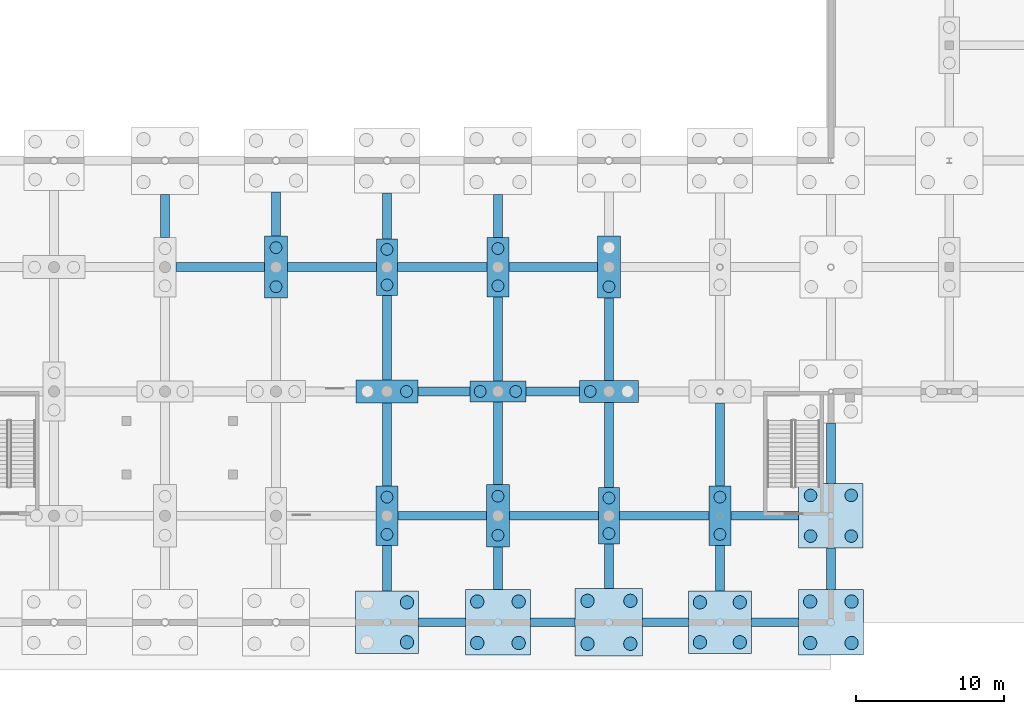
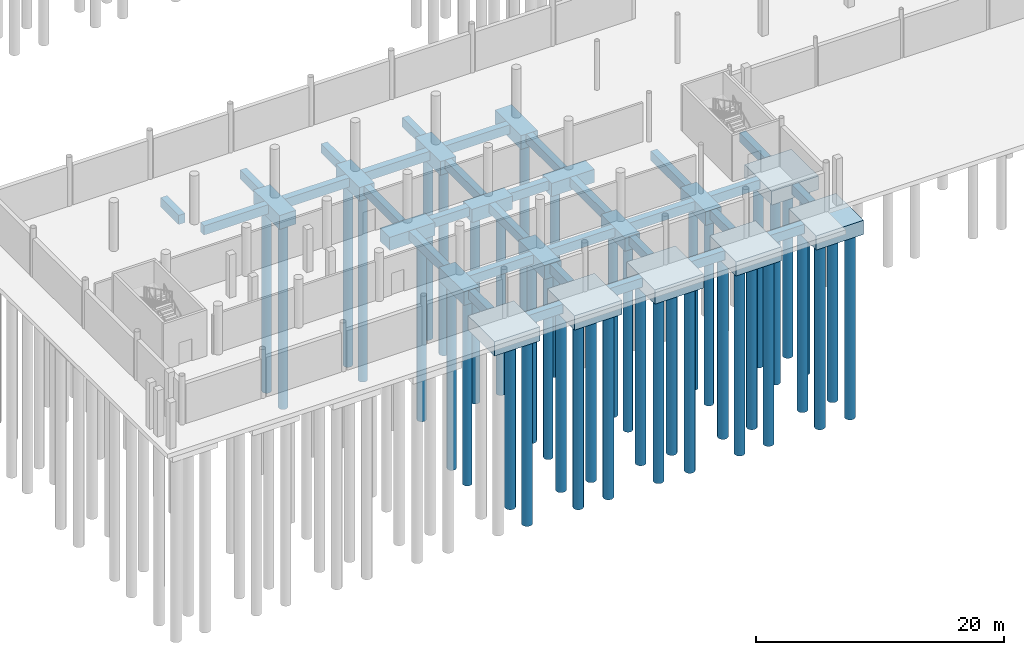
# One storey, part 2 of 44: 48 footings, 41 piles.
"""IFC4 building model written with IfcOpenShell, lengths in metres."""

import ifcopenshell
import ifcopenshell.guid

model = None  # the IFC model being written
_history = None  # IfcOwnerHistory: only IFC2X3 demands one
_inside = {}  # id of a spatial element -> (the spatial element, [elements in it])
_under = {}  # id of a project, library or spatial element -> (it, [spatial elements below it])
_declared = {}  # id of a project -> (the project, [libraries it declares])
_typed = {}  # id of a type object -> (the type object, [elements of that type])
_made_of = {}  # id of a material, layer set ... -> (it, [elements and type objects made of it])


def new_model(schema):
    """Start an empty IFC model of exactly this schema.

    Asked for "IFC4X3", IfcOpenShell would pick the latest addendum, in which some entities
    have other attributes; the version numbers below select the first issue.
    IFC2X3 requires an IfcOwnerHistory on every rooted entity: one is made here for all.
    """
    global model, _history
    if schema == "IFC4X3":
        model = ifcopenshell.file(schema_version=(4, 3, 0, 0))
    else:
        model = ifcopenshell.file(schema=schema)
    _inside.clear()
    _under.clear()
    _declared.clear()
    _typed.clear()
    _made_of.clear()
    _history = None
    if model.schema == "IFC2X3":
        org = make("IfcOrganization", Name="unknown")
        user = make(
            "IfcPersonAndOrganization",
            ThePerson=make("IfcPerson", FamilyName="unknown"),
            TheOrganization=org,
        )
        app = make(
            "IfcApplication",
            ApplicationDeveloper=org,
            Version="unknown",
            ApplicationFullName="unknown",
            ApplicationIdentifier="unknown",
        )
        _history = make(
            "IfcOwnerHistory",
            OwningUser=user,
            OwningApplication=app,
            ChangeAction="ADDED",
            CreationDate=0,
        )
    return model


def make(cls, **values):
    """One entity of the class cls with the attributes given. An attribute that is None is left unset."""
    return model.create_entity(
        cls, **{name: value for name, value in values.items() if value is not None}
    )


def rooted(cls, **values):
    """An entity with a GlobalId (a new one), such as an element, a storey or a relation."""
    return make(cls, GlobalId=ifcopenshell.guid.new(), OwnerHistory=_history, **values)


def si_unit(unit_type, name, prefix=None):
    """IfcSIUnit, for example si_unit("LENGTHUNIT", "METRE", prefix="MILLI")."""
    return make("IfcSIUnit", UnitType=unit_type, Prefix=prefix, Name=name)


def assignment(units):
    """IfcUnitAssignment: the units of a project."""
    return None if units is None else make("IfcUnitAssignment", Units=units)


def point(xyz):
    """IfcCartesianPoint."""
    return None if xyz is None else make("IfcCartesianPoint", Coordinates=xyz)


def direction(xyz):
    """IfcDirection."""
    return None if xyz is None else make("IfcDirection", DirectionRatios=xyz)


def frame(location, z_axis=None, x_axis=None):
    """IfcAxis2Placement3D, a coordinate frame: its origin and axes. An axis left out is left unset."""
    return make(
        "IfcAxis2Placement3D",
        Location=point(location),
        Axis=direction(z_axis),
        RefDirection=direction(x_axis),
    )


def frame_2d(location, x_axis=None):
    """IfcAxis2Placement2D, a coordinate frame in the plane: its origin and x axis."""
    return make(
        "IfcAxis2Placement2D", Location=point(location), RefDirection=direction(x_axis)
    )


def origin():
    """The frame at (0, 0, 0) with its axes left unset."""
    return frame((0.0, 0.0, 0.0))


def origin_2d():
    """The frame at (0, 0) in the plane with its x axis left unset."""
    return frame_2d((0.0, 0.0))


def place(relative_to, where):
    """IfcLocalPlacement: puts the frame where relative to a parent placement (None: the world)."""
    return make(
        "IfcLocalPlacement", PlacementRelTo=relative_to, RelativePlacement=where
    )


def context(
    kind, dimensions, precision=None, world=None, true_north=None, identifier=None
):
    """IfcGeometricRepresentationContext, for example the 3D "Model" context."""
    return make(
        "IfcGeometricRepresentationContext",
        ContextIdentifier=identifier,
        ContextType=kind,
        CoordinateSpaceDimension=dimensions,
        Precision=precision,
        WorldCoordinateSystem=world,
        TrueNorth=true_north,
    )


def subcontext(parent, identifier, kind, view, scale=None):
    """IfcGeometricRepresentationSubContext, for example "Body" below "Model"."""
    return make(
        "IfcGeometricRepresentationSubContext",
        ContextIdentifier=identifier,
        ContextType=kind,
        ParentContext=parent,
        TargetScale=scale,
        TargetView=view,
    )


def project(units=None, contexts=None):
    """IfcProject with its units and contexts."""
    return rooted(
        "IfcProject",
        Name="project",
        RepresentationContexts=contexts,
        UnitsInContext=assignment(units),
    )


def spatial(cls, under=None, at=None, **own):
    """A site, building, storey or space (cls), placed at a placement, below another one or the project."""
    s = rooted(cls, ObjectPlacement=at, **own)
    if under is not None:
        _under.setdefault(under.id(), (under, []))[1].append(s)
    return s


def polyline(points):
    """IfcPolyline through the points."""
    return make("IfcPolyline", Points=[point(p) for p in points])


def profile(cls, at=None, kind="AREA", **sizes):
    """A parametric profile (cls). Its sizes go by their IFC names, for example OverallWidth=200.0."""
    return make(cls, ProfileType=kind, Position=at, **sizes)


def rectangle(**sizes):
    """IfcRectangleProfileDef."""
    return profile("IfcRectangleProfileDef", **sizes)


def circle(**sizes):
    """IfcCircleProfileDef."""
    return profile("IfcCircleProfileDef", **sizes)


def outline(outer, holes=None, kind="AREA"):
    """IfcArbitraryClosedProfileDef: a profile drawn as a closed curve; with holes, ...WithVoids."""
    if holes is None:
        return make("IfcArbitraryClosedProfileDef", ProfileType=kind, OuterCurve=outer)
    return make(
        "IfcArbitraryProfileDefWithVoids",
        ProfileType=kind,
        OuterCurve=outer,
        InnerCurves=holes,
    )


def extrude(swept, where, along, depth):
    """IfcExtrudedAreaSolid: the profile swept, set in the frame where, extruded along a direction by depth."""
    return make(
        "IfcExtrudedAreaSolid",
        SweptArea=swept,
        Position=where,
        ExtrudedDirection=direction(along),
        Depth=depth,
    )


def shape(context_of_items, identifier, shape_type, items):
    """IfcShapeRepresentation: the items that make up one representation, for example the "Body"."""
    return make(
        "IfcShapeRepresentation",
        ContextOfItems=context_of_items,
        RepresentationIdentifier=identifier,
        RepresentationType=shape_type,
        Items=items,
    )


def material(Name=None, Category=None):
    """IfcMaterial."""
    return make("IfcMaterial", Name=Name, Category=Category)


def material_profile(
    of_material, cross_section, Name=None, Category=None, Priority=None
):
    """IfcMaterialProfile: a cross section and its material."""
    return make(
        "IfcMaterialProfile",
        Name=Name,
        Material=of_material,
        Profile=cross_section,
        Priority=Priority,
        Category=Category,
    )


def profile_set(profiles, Name=None, composite=None):
    """IfcMaterialProfileSet."""
    return make(
        "IfcMaterialProfileSet",
        Name=Name,
        MaterialProfiles=profiles,
        CompositeProfile=composite,
    )


def made_of(thing, what):
    """Note that an element or type object is made of a material, layer set ...; save() writes the relation."""
    if what is not None:
        _made_of.setdefault(what.id(), (what, []))[1].append(thing)
    return thing


def type_object(cls, material=None, **own):
    """A type object (cls), such as IfcWallType, which elements share."""
    return made_of(rooted(cls, **own), material)


def element(
    cls,
    number,
    at=None,
    inside=None,
    cuts=None,
    type_object=None,
    material=None,
    context=None,
    identifier="Body",
    shape_type=None,
    held_by="IfcProductDefinitionShape",
    body=None,
    shapes=None,
    **own,
):
    """One element of the class cls, such as IfcWall. Its Tag is "e" and its number.

    at: its placement. inside: the storey or other place that contains it. cuts: it is an
    opening in that element (IfcRelVoidsElement). A single representation is given by context,
    identifier, shape_type and body (its items); several are given by shapes. held_by: the class
    of the entity that holds the representations. save() writes the other relations.
    """
    e = rooted(cls, Tag="e%d" % number, ObjectPlacement=at, **own)
    if body is not None:
        shapes = [shape(context, identifier, shape_type, body)]
    if shapes is not None:
        e.Representation = make(held_by, Representations=shapes)
    if inside is not None:
        _inside.setdefault(inside.id(), (inside, []))[1].append(e)
    if cuts is not None:
        rooted(
            "IfcRelVoidsElement", RelatingBuildingElement=cuts, RelatedOpeningElement=e
        )
    if type_object is not None:
        _typed.setdefault(type_object.id(), (type_object, []))[1].append(e)
    return made_of(e, material)


def aggregate(whole, parts):
    """IfcRelAggregates: a whole, such as a stair, and the parts it consists of."""
    return rooted("IfcRelAggregates", RelatingObject=whole, RelatedObjects=parts)


def save(model, path):
    """Write the relations noted so far, then the file.

    IfcRelAggregates (storeys below a building ...), IfcRelContainedInSpatialStructure (elements
    in a storey), IfcRelDefinesByType, IfcRelAssociatesMaterial and IfcRelDeclares: one each for
    every whole, place, type object, material and project.
    """
    for whole, parts in _under.values():
        aggregate(whole, parts)
    for where, things in _inside.values():
        rooted(
            "IfcRelContainedInSpatialStructure",
            RelatedElements=things,
            RelatingStructure=where,
        )
    for kind, things in _typed.values():
        rooted("IfcRelDefinesByType", RelatedObjects=things, RelatingType=kind)
    for what, things in _made_of.values():
        rooted("IfcRelAssociatesMaterial", RelatedObjects=things, RelatingMaterial=what)
    for by, libraries in _declared.values():
        rooted("IfcRelDeclares", RelatingContext=by, RelatedDefinitions=libraries)
    model.write(path)


model = new_model("IFC4")

# Units and contexts
model_context = context("Model", 3, precision=1e-05, world=origin(), true_north=direction((0.0, 1.0)))
body_context = subcontext(model_context, "Body", "Model", "MODEL_VIEW")
ifc_project = project(units=[si_unit("LENGTHUNIT", "METRE"), si_unit("AREAUNIT", "SQUARE_METRE"), si_unit("VOLUMEUNIT", "CUBIC_METRE"), si_unit("PLANEANGLEUNIT", "RADIAN"), si_unit("MASSUNIT", "GRAM", prefix="KILO")], contexts=[model_context])

# Site, building, storey
site_placement = place(None, origin())
site = spatial("IfcSite", under=ifc_project, at=site_placement, CompositionType="ELEMENT")
building_placement = place(site_placement, origin())
building = spatial("IfcBuilding", under=site, at=building_placement, Name="Yukiwa Park Conservatory and Herbarium", CompositionType="ELEMENT")
storey_placement = place(building_placement, frame((0.0, 0.0, -4.800048828125)))
storey = spatial("IfcBuildingStorey", under=building, at=storey_placement, Name="B1", CompositionType="ELEMENT", Elevation=-4.800048828125)

# Footings
ifc_material_1 = material(Name="Concrete C35", Category="concrete")
footing_type_1 = type_object("IfcFootingType", Name="FT-BEAM-600X900", PredefinedType="FOOTING_BEAM", material=ifc_material_1)
footing_1_placement = place(storey_placement, frame((0.0, 0.0, -1.349853515625)))
element("IfcFooting", 1, at=footing_1_placement, inside=storey, type_object=footing_type_1, Name="Foundation tie beam X-5", PredefinedType="FOOTING_BEAM", context=body_context, shape_type="SweptSolid", body=[
    extrude(outline(polyline([(32.1201171875, -0.300048828125), (35.300048828125, -0.300048828125), (35.300048828125, 0.300048828125), (32.1201171875, 0.300048828125), (32.1201171875, -0.300048828125)])), origin(), (0.0, 0.0, 1.0), 0.89990234375),
])
footing_2_placement = place(storey_placement, frame((0.0, 0.0, -1.349853515625)))
element("IfcFooting", 2, at=footing_2_placement, inside=storey, type_object=footing_type_1, Name="Foundation tie beam X-6", PredefinedType="FOOTING_BEAM", context=body_context, shape_type="SweptSolid", body=[
    extrude(outline(polyline([(39.699951171875, -0.300048828125), (42.719970703125, -0.300048828125), (42.719970703125, 0.300048828125), (39.699951171875, 0.300048828125), (39.699951171875, -0.300048828125)])), origin(), (0.0, 0.0, 1.0), 0.89990234375),
])
footing_3_placement = place(storey_placement, frame((0.0, 0.0, -1.349853515625)))
element("IfcFooting", 3, at=footing_3_placement, inside=storey, type_object=footing_type_1, Name="Foundation tie beam X-7", PredefinedType="FOOTING_BEAM", context=body_context, shape_type="SweptSolid", body=[
    extrude(outline(polyline([(47.280029296875, -0.300048828125), (50.3798828125, -0.300048828125), (50.3798828125, 0.300048828125), (47.280029296875, 0.300048828125), (47.280029296875, -0.300048828125)])), origin(), (0.0, 0.0, 1.0), 0.89990234375),
])
footing_4_placement = place(storey_placement, frame((0.0, 0.0, -1.349853515625)))
element("IfcFooting", 4, at=footing_4_placement, inside=storey, type_object=footing_type_1, Name="Foundation tie beam X-8", PredefinedType="FOOTING_BEAM", context=body_context, shape_type="SweptSolid", body=[
    extrude(outline(polyline([(54.6201171875, -0.300048828125), (57.800048828125, -0.300048828125), (57.800048828125, 0.300048828125), (54.6201171875, 0.300048828125), (54.6201171875, -0.300048828125)])), origin(), (0.0, 0.0, 1.0), 0.89990234375),
])
footing_5_placement = place(storey_placement, frame((0.0, 0.0, -1.349853515625)))
element("IfcFooting", 5, at=footing_5_placement, inside=storey, type_object=footing_type_1, Name="Foundation tie beam X-13", PredefinedType="FOOTING_BEAM", context=body_context, shape_type="SweptSolid", body=[
    extrude(outline(polyline([(30.739990234375, 6.89990234375), (36.719970703125, 6.89990234375), (36.719970703125, 7.5), (30.739990234375, 7.5), (30.739990234375, 6.89990234375)])), origin(), (0.0, 0.0, 1.0), 0.89990234375),
])
footing_6_placement = place(storey_placement, frame((0.0, 0.0, -1.349853515625)))
element("IfcFooting", 6, at=footing_6_placement, inside=storey, type_object=footing_type_1, Name="Foundation tie beam X-14", PredefinedType="FOOTING_BEAM", context=body_context, shape_type="SweptSolid", body=[
    extrude(outline(polyline([(38.280029296875, 6.89990234375), (44.300048828125, 6.89990234375), (44.300048828125, 7.5), (38.280029296875, 7.5), (38.280029296875, 6.89990234375)])), origin(), (0.0, 0.0, 1.0), 0.89990234375),
])
footing_7_placement = place(storey_placement, frame((0.0, 0.0, -1.349853515625)))
element("IfcFooting", 7, at=footing_7_placement, inside=storey, type_object=footing_type_1, Name="Foundation tie beam X-15", PredefinedType="FOOTING_BEAM", context=body_context, shape_type="SweptSolid", body=[
    extrude(outline(polyline([(45.699951171875, 6.89990234375), (51.760009765625, 6.89990234375), (51.760009765625, 7.5), (45.699951171875, 7.5), (45.699951171875, 6.89990234375)])), origin(), (0.0, 0.0, 1.0), 0.89990234375),
])
footing_8_placement = place(storey_placement, frame((0.0, 0.0, -1.349853515625)))
element("IfcFooting", 8, at=footing_8_placement, inside=storey, type_object=footing_type_1, Name="Foundation tie beam X-16", PredefinedType="FOOTING_BEAM", context=body_context, shape_type="SweptSolid", body=[
    extrude(outline(polyline([(53.239990234375, 6.89990234375), (57.820068359375, 6.89990234375), (57.820068359375, 7.5), (53.239990234375, 7.5), (53.239990234375, 6.89990234375)])), origin(), (0.0, 0.0, 1.0), 0.89990234375),
])
footing_9_placement = place(storey_placement, frame((0.0, 0.0, -1.349853515625)))
element("IfcFooting", 9, at=footing_9_placement, inside=storey, type_object=footing_type_1, Name="Foundation tie beam X-21", PredefinedType="FOOTING_BEAM", context=body_context, shape_type="SweptSolid", body=[
    extrude(outline(polyline([(32.10009765625, 15.300048828125), (35.60009765625, 15.300048828125), (35.60009765625, 15.89990234375), (32.10009765625, 15.89990234375), (32.10009765625, 15.300048828125)])), origin(), (0.0, 0.0, 1.0), 0.89990234375),
])
footing_10_placement = place(storey_placement, frame((0.0, 0.0, -1.349853515625)))
element("IfcFooting", 10, at=footing_10_placement, inside=storey, type_object=footing_type_1, Name="Foundation tie beam X-22", PredefinedType="FOOTING_BEAM", context=body_context, shape_type="SweptSolid", body=[
    extrude(outline(polyline([(39.39990234375, 15.300048828125), (43.0, 15.300048828125), (43.0, 15.89990234375), (39.39990234375, 15.89990234375), (39.39990234375, 15.300048828125)])), origin(), (0.0, 0.0, 1.0), 0.89990234375),
])
footing_11_placement = place(storey_placement, frame((0.0, 0.0, -1.349853515625)))
element("IfcFooting", 11, at=footing_11_placement, inside=storey, type_object=footing_type_1, Name="Foundation tie beam X-33", PredefinedType="FOOTING_BEAM", context=body_context, shape_type="SweptSolid", body=[
    extrude(outline(polyline([(15.739990234375, 23.699951171875), (21.719970703125, 23.699951171875), (21.719970703125, 24.300048828125), (15.739990234375, 24.300048828125), (15.739990234375, 23.699951171875)])), origin(), (0.0, 0.0, 1.0), 0.89990234375),
])
footing_12_placement = place(storey_placement, frame((0.0, 0.0, -1.349853515625)))
element("IfcFooting", 12, at=footing_12_placement, inside=storey, type_object=footing_type_1, Name="Foundation tie beam X-34", PredefinedType="FOOTING_BEAM", context=body_context, shape_type="SweptSolid", body=[
    extrude(outline(polyline([(23.280029296875, 23.699951171875), (29.300048828125, 23.699951171875), (29.300048828125, 24.300048828125), (23.280029296875, 24.300048828125), (23.280029296875, 23.699951171875)])), origin(), (0.0, 0.0, 1.0), 0.89990234375),
])
footing_13_placement = place(storey_placement, frame((0.0, 0.0, -1.349853515625)))
element("IfcFooting", 13, at=footing_13_placement, inside=storey, type_object=footing_type_1, Name="Foundation tie beam X-35", PredefinedType="FOOTING_BEAM", context=body_context, shape_type="SweptSolid", body=[
    extrude(outline(polyline([(30.699951171875, 23.699951171875), (36.760009765625, 23.699951171875), (36.760009765625, 24.300048828125), (30.699951171875, 24.300048828125), (30.699951171875, 23.699951171875)])), origin(), (0.0, 0.0, 1.0), 0.89990234375),
])
footing_14_placement = place(storey_placement, frame((0.0, 0.0, -1.349853515625)))
element("IfcFooting", 14, at=footing_14_placement, inside=storey, type_object=footing_type_1, Name="Foundation tie beam X-36", PredefinedType="FOOTING_BEAM", context=body_context, shape_type="SweptSolid", body=[
    extrude(outline(polyline([(38.239990234375, 23.699951171875), (44.219970703125, 23.699951171875), (44.219970703125, 24.300048828125), (38.239990234375, 24.300048828125), (38.239990234375, 23.699951171875)])), origin(), (0.0, 0.0, 1.0), 0.89990234375),
])
footing_15_placement = place(storey_placement, frame((0.0, 0.0, -1.349853515625)))
element("IfcFooting", 15, at=footing_15_placement, inside=storey, type_object=footing_type_1, Name="Foundation tie beam Y-171", PredefinedType="FOOTING_BEAM", context=body_context, shape_type="SweptSolid", body=[
    extrude(outline(polyline([(14.699951171875, 26.0), (15.300048828125, 26.0), (15.300048828125, 28.919921875), (14.699951171875, 28.919921875), (14.699951171875, 26.0)])), origin(), (0.0, 0.0, 1.0), 0.89990234375),
])
footing_16_placement = place(storey_placement, frame((0.0, 0.0, -1.349853515625)))
element("IfcFooting", 16, at=footing_16_placement, inside=storey, type_object=footing_type_1, Name="Foundation tie beam Y-179", PredefinedType="FOOTING_BEAM", context=body_context, shape_type="SweptSolid", body=[
    extrude(outline(polyline([(22.199951171875, 26.10009765625), (22.800048828125, 26.10009765625), (22.800048828125, 29.080078125), (22.199951171875, 29.080078125), (22.199951171875, 26.10009765625)])), origin(), (0.0, 0.0, 1.0), 0.89990234375),
])
footing_17_placement = place(storey_placement, frame((0.0, 0.0, -1.349853515625)))
element("IfcFooting", 17, at=footing_17_placement, inside=storey, type_object=footing_type_1, Name="Foundation tie beam Y-184", PredefinedType="FOOTING_BEAM", context=body_context, shape_type="SweptSolid", body=[
    extrude(outline(polyline([(29.699951171875, 2.1201171875), (30.300048828125, 2.1201171875), (30.300048828125, 5.199951171875), (29.699951171875, 5.199951171875), (29.699951171875, 2.1201171875)])), origin(), (0.0, 0.0, 1.0), 0.89990234375),
])
footing_18_placement = place(storey_placement, frame((0.0, 0.0, -1.349853515625)))
element("IfcFooting", 18, at=footing_18_placement, inside=storey, type_object=footing_type_1, Name="Foundation tie beam Y-185", PredefinedType="FOOTING_BEAM", context=body_context, shape_type="SweptSolid", body=[
    extrude(outline(polyline([(29.699951171875, 9.199951171875), (30.300048828125, 9.199951171875), (30.300048828125, 14.820068359375), (29.699951171875, 14.820068359375), (29.699951171875, 9.199951171875)])), origin(), (0.0, 0.0, 1.0), 0.89990234375),
])
footing_19_placement = place(storey_placement, frame((0.0, 0.0, -1.349853515625)))
element("IfcFooting", 19, at=footing_19_placement, inside=storey, type_object=footing_type_1, Name="Foundation tie beam Y-186", PredefinedType="FOOTING_BEAM", context=body_context, shape_type="SweptSolid", body=[
    extrude(outline(polyline([(29.699951171875, 16.3798828125), (30.300048828125, 16.3798828125), (30.300048828125, 22.10009765625), (29.699951171875, 22.10009765625), (29.699951171875, 16.3798828125)])), origin(), (0.0, 0.0, 1.0), 0.89990234375),
])
footing_20_placement = place(storey_placement, frame((0.0, 0.0, -1.349853515625)))
element("IfcFooting", 20, at=footing_20_placement, inside=storey, type_object=footing_type_1, Name="Foundation tie beam Y-187", PredefinedType="FOOTING_BEAM", context=body_context, shape_type="SweptSolid", body=[
    extrude(outline(polyline([(29.699951171875, 25.89990234375), (30.300048828125, 25.89990234375), (30.300048828125, 29.0), (29.699951171875, 29.0), (29.699951171875, 25.89990234375)])), origin(), (0.0, 0.0, 1.0), 0.89990234375),
])
footing_21_placement = place(storey_placement, frame((0.0, 0.0, -1.349853515625)))
element("IfcFooting", 21, at=footing_21_placement, inside=storey, type_object=footing_type_1, Name="Foundation tie beam Y-192", PredefinedType="FOOTING_BEAM", context=body_context, shape_type="SweptSolid", body=[
    extrude(outline(polyline([(37.199951171875, 2.199951171875), (37.800048828125, 2.199951171875), (37.800048828125, 5.10009765625), (37.199951171875, 5.10009765625), (37.199951171875, 2.199951171875)])), origin(), (0.0, 0.0, 1.0), 0.89990234375),
])
footing_22_placement = place(storey_placement, frame((0.0, 0.0, -1.349853515625)))
element("IfcFooting", 22, at=footing_22_placement, inside=storey, type_object=footing_type_1, Name="Foundation tie beam Y-193", PredefinedType="FOOTING_BEAM", context=body_context, shape_type="SweptSolid", body=[
    extrude(outline(polyline([(37.199951171875, 9.300048828125), (37.800048828125, 9.300048828125), (37.800048828125, 14.89990234375), (37.199951171875, 14.89990234375), (37.199951171875, 9.300048828125)])), origin(), (0.0, 0.0, 1.0), 0.89990234375),
])
footing_23_placement = place(storey_placement, frame((0.0, 0.0, -1.349853515625)))
element("IfcFooting", 23, at=footing_23_placement, inside=storey, type_object=footing_type_1, Name="Foundation tie beam Y-194", PredefinedType="FOOTING_BEAM", context=body_context, shape_type="SweptSolid", body=[
    extrude(outline(polyline([(37.199951171875, 16.300048828125), (37.800048828125, 16.300048828125), (37.800048828125, 22.0), (37.199951171875, 22.0), (37.199951171875, 16.300048828125)])), origin(), (0.0, 0.0, 1.0), 0.89990234375),
])
footing_24_placement = place(storey_placement, frame((0.0, 0.0, -1.349853515625)))
element("IfcFooting", 24, at=footing_24_placement, inside=storey, type_object=footing_type_1, Name="Foundation tie beam Y-195", PredefinedType="FOOTING_BEAM", context=body_context, shape_type="SweptSolid", body=[
    extrude(outline(polyline([(37.199951171875, 26.0), (37.800048828125, 26.0), (37.800048828125, 28.919921875), (37.199951171875, 28.919921875), (37.199951171875, 26.0)])), origin(), (0.0, 0.0, 1.0), 0.89990234375),
])
footing_25_placement = place(storey_placement, frame((0.0, 0.0, -1.349853515625)))
element("IfcFooting", 25, at=footing_25_placement, inside=storey, type_object=footing_type_1, Name="Foundation tie beam Y-200", PredefinedType="FOOTING_BEAM", context=body_context, shape_type="SweptSolid", body=[
    extrude(outline(polyline([(44.699951171875, 2.280029296875), (45.300048828125, 2.280029296875), (45.300048828125, 5.300048828125), (44.699951171875, 5.300048828125), (44.699951171875, 2.280029296875)])), origin(), (0.0, 0.0, 1.0), 0.89990234375),
])
footing_26_placement = place(storey_placement, frame((0.0, 0.0, -1.349853515625)))
element("IfcFooting", 26, at=footing_26_placement, inside=storey, type_object=footing_type_1, Name="Foundation tie beam Y-201", PredefinedType="FOOTING_BEAM", context=body_context, shape_type="SweptSolid", body=[
    extrude(outline(polyline([(44.699951171875, 9.10009765625), (45.300048828125, 9.10009765625), (45.300048828125, 14.860107421875), (44.699951171875, 14.860107421875), (44.699951171875, 9.10009765625)])), origin(), (0.0, 0.0, 1.0), 0.89990234375),
])
footing_27_placement = place(storey_placement, frame((0.0, 0.0, -1.349853515625)))
element("IfcFooting", 27, at=footing_27_placement, inside=storey, type_object=footing_type_1, Name="Foundation tie beam Y-202", PredefinedType="FOOTING_BEAM", context=body_context, shape_type="SweptSolid", body=[
    extrude(outline(polyline([(44.699951171875, 16.340087890625), (45.300048828125, 16.340087890625), (45.300048828125, 21.89990234375), (44.699951171875, 21.89990234375), (44.699951171875, 16.340087890625)])), origin(), (0.0, 0.0, 1.0), 0.89990234375),
])
footing_28_placement = place(storey_placement, frame((0.0, 0.0, -1.349853515625)))
element("IfcFooting", 28, at=footing_28_placement, inside=storey, type_object=footing_type_1, Name="Foundation tie beam Y-208", PredefinedType="FOOTING_BEAM", context=body_context, shape_type="SweptSolid", body=[
    extrude(outline(polyline([(52.199951171875, 2.1201171875), (52.800048828125, 2.1201171875), (52.800048828125, 5.199951171875), (52.199951171875, 5.199951171875), (52.199951171875, 2.1201171875)])), origin(), (0.0, 0.0, 1.0), 0.89990234375),
])
footing_29_placement = place(storey_placement, frame((0.0, 0.0, -1.349853515625)))
element("IfcFooting", 29, at=footing_29_placement, inside=storey, type_object=footing_type_1, Name="Foundation tie beam Y-209", PredefinedType="FOOTING_BEAM", context=body_context, shape_type="SweptSolid", body=[
    extrude(outline(polyline([(52.199951171875, 9.199951171875), (52.800048828125, 9.199951171875), (52.800048828125, 14.820068359375), (52.199951171875, 14.820068359375), (52.199951171875, 9.199951171875)])), origin(), (0.0, 0.0, 1.0), 0.89990234375),
])
footing_30_placement = place(storey_placement, frame((0.0, 0.0, -1.349853515625)))
element("IfcFooting", 30, at=footing_30_placement, inside=storey, type_object=footing_type_1, Name="Foundation tie beam Y-216", PredefinedType="FOOTING_BEAM", context=body_context, shape_type="SweptSolid", body=[
    extrude(outline(polyline([(59.699951171875, 2.199951171875), (60.300048828125, 2.199951171875), (60.300048828125, 5.02001953125), (59.699951171875, 5.02001953125), (59.699951171875, 2.199951171875)])), origin(), (0.0, 0.0, 1.0), 0.89990234375),
])
footing_31_placement = place(storey_placement, frame((0.0, 0.0, -1.349853515625)))
element("IfcFooting", 31, at=footing_31_placement, inside=storey, type_object=footing_type_1, Name="Foundation tie beam Y-217", PredefinedType="FOOTING_BEAM", context=body_context, shape_type="SweptSolid", body=[
    extrude(outline(polyline([(59.699951171875, 9.3798828125), (60.300048828125, 9.3798828125), (60.300048828125, 13.47998046875), (59.699951171875, 13.47998046875), (59.699951171875, 9.3798828125)])), origin(), (0.0, 0.0, 1.0), 0.89990234375),
])
ifc_material_2 = material(Name="Concrete C35", Category="concrete")
footing_type_2 = type_object("IfcFootingType", Name="FT-PC-1400X3800X1350", PredefinedType="PILE_CAP", material=ifc_material_2)
for number, where, z_axis, x_axis, name in (
    (32, (30.0, 24.0, -1.800048828125), (0.0, 0.0, 1.0), (1.0, 0.0, 0.0), "Reinforced concrete pile cap 34"),
    (33, (45.0, 7.199951171875, -1.800048828125), (0.0, 0.0, 1.0), (1.0, 0.0, 0.0), "Reinforced concrete pile cap 52"),
):
    element("IfcFooting", number, at=place(storey_placement, frame(where, z_axis=z_axis, x_axis=x_axis)), inside=storey, type_object=footing_type_2, Name=name, PredefinedType="PILE_CAP", context=body_context, shape_type="SweptSolid", body=[
        extrude(rectangle(XDim=1.39990234375, YDim=3.800048828125, at=origin_2d()), origin(), (0.0, 0.0, 1.0), 1.35009765625),
    ])
ifc_material_3 = material(Name="Concrete C35", Category="concrete")
footing_type_3 = type_object("IfcFootingType", Name="FT-PC-1480X4000X1350", PredefinedType="PILE_CAP", material=ifc_material_3)
for number, where, z_axis, x_axis, name in (
    (34, (30.0, 7.199951171875, -1.800048828125), (0.0, 0.0, 1.0), (1.0, 0.0, 0.0), "Reinforced concrete pile cap 32"),
    (35, (37.5, 24.0, -1.800048828125), (0.0, 0.0, 1.0), (1.0, 0.0, 0.0), "Reinforced concrete pile cap 44"),
    (36, (52.5, 7.199951171875, -1.800048828125), (0.0, 0.0, 1.0), (1.0, 0.0, 0.0), "Reinforced concrete pile cap 62"),
):
    element("IfcFooting", number, at=place(storey_placement, frame(where, z_axis=z_axis, x_axis=x_axis)), inside=storey, type_object=footing_type_3, Name=name, PredefinedType="PILE_CAP", context=body_context, shape_type="SweptSolid", body=[
        extrude(rectangle(XDim=1.47998046875, YDim=4.0, at=origin_2d()), origin(), (0.0, 0.0, 1.0), 1.35009765625),
    ])
ifc_material_4 = material(Name="Concrete C35", Category="concrete")
footing_type_4 = type_object("IfcFootingType", Name="FT-PC-1560X4200X1350", PredefinedType="PILE_CAP", material=ifc_material_4)
for number, where, z_axis, x_axis, name in (
    (37, (22.5, 24.0, -1.800048828125), (0.0, 0.0, 1.0), (1.0, 0.0, 0.0), "Reinforced concrete pile cap 24"),
    (38, (37.5, 7.199951171875, -1.800048828125), (0.0, 0.0, 1.0), (1.0, 0.0, 0.0), "Reinforced concrete pile cap 42"),
    (39, (45.0, 24.0, -1.800048828125), (0.0, 0.0, 1.0), (1.0, 0.0, 0.0), "Reinforced concrete pile cap 54"),
):
    element("IfcFooting", number, at=place(storey_placement, frame(where, z_axis=z_axis, x_axis=x_axis)), inside=storey, type_object=footing_type_4, Name=name, PredefinedType="PILE_CAP", context=body_context, shape_type="SweptSolid", body=[
        extrude(rectangle(XDim=1.56005859375, YDim=4.199951171875, at=origin_2d()), origin(), (0.0, 0.0, 1.0), 1.35009765625),
    ])
ifc_material_5 = material(Name="Concrete C35", Category="concrete")
footing_type_5 = type_object("IfcFootingType", Name="FT-PC-3800X1400X1300", PredefinedType="PILE_CAP", material=ifc_material_5)
footing_32_placement = place(storey_placement, frame((37.5, 15.60009765625, -1.75), z_axis=(0.0, 0.0, 1.0), x_axis=(1.0, 0.0, 0.0)))
element("IfcFooting", 40, at=footing_32_placement, inside=storey, type_object=footing_type_5, Name="Reinforced concrete pile cap 43", PredefinedType="PILE_CAP", context=body_context, shape_type="SweptSolid", body=[
    extrude(rectangle(XDim=3.800048828125, YDim=1.39990234375, at=origin_2d()), origin(), (0.0, 0.0, 1.0), 1.300048828125),
])
ifc_material_6 = material(Name="Concrete C35", Category="concrete")
footing_type_6 = type_object("IfcFootingType", Name="FT-PC-4000X1480X1300", PredefinedType="PILE_CAP", material=ifc_material_6)
footing_33_placement = place(storey_placement, frame((45.0, 15.60009765625, -1.75), z_axis=(0.0, 0.0, 1.0), x_axis=(1.0, 0.0, 0.0)))
element("IfcFooting", 41, at=footing_33_placement, inside=storey, type_object=footing_type_6, Name="Reinforced concrete pile cap 53", PredefinedType="PILE_CAP", context=body_context, shape_type="SweptSolid", body=[
    extrude(rectangle(XDim=4.0, YDim=1.47998046875, at=origin_2d()), origin(), (0.0, 0.0, 1.0), 1.300048828125),
])
ifc_material_7 = material(Name="Concrete C35", Category="concrete")
footing_type_7 = type_object("IfcFootingType", Name="FT-PC-4200X1560X1300", PredefinedType="PILE_CAP", material=ifc_material_7)
footing_34_placement = place(storey_placement, frame((30.0, 15.60009765625, -1.75), z_axis=(0.0, 0.0, 1.0), x_axis=(1.0, 0.0, 0.0)))
element("IfcFooting", 42, at=footing_34_placement, inside=storey, type_object=footing_type_7, Name="Reinforced concrete pile cap 33", PredefinedType="PILE_CAP", context=body_context, shape_type="SweptSolid", body=[
    extrude(rectangle(XDim=4.199951171875, YDim=1.56005859375, at=origin_2d()), origin(), (0.0, 0.0, 1.0), 1.300048828125),
])
ifc_material_8 = material(Name="Concrete C35", Category="concrete")
footing_type_8 = type_object("IfcFootingType", Name="FT-PC-4240X4240X1400", PredefinedType="PILE_CAP", material=ifc_material_8)
for number, where, z_axis, x_axis, name in (
    (43, (30.0, 0.0, -1.849853515625), (0.0, 0.0, 1.0), (1.0, 0.0, 0.0), "Reinforced concrete pile cap 31"),
    (44, (52.5, 0.0, -1.849853515625), (0.0, 0.0, 1.0), (1.0, 0.0, 0.0), "Reinforced concrete pile cap 61"),
):
    element("IfcFooting", number, at=place(storey_placement, frame(where, z_axis=z_axis, x_axis=x_axis)), inside=storey, type_object=footing_type_8, Name=name, PredefinedType="PILE_CAP", context=body_context, shape_type="SweptSolid", body=[
        extrude(rectangle(XDim=4.239990234375, YDim=4.239990234375, at=origin_2d()), origin(), (0.0, 0.0, 1.0), 1.39990234375),
    ])
ifc_material_9 = material(Name="Concrete C35", Category="concrete")
footing_type_9 = type_object("IfcFootingType", Name="FT-PC-4360X4360X1350", PredefinedType="PILE_CAP", material=ifc_material_9)
footing_35_placement = place(storey_placement, frame((60.0, 7.199951171875, -1.800048828125), z_axis=(0.0, 0.0, 1.0), x_axis=(1.0, 0.0, 0.0)))
element("IfcFooting", 45, at=footing_35_placement, inside=storey, type_object=footing_type_9, Name="Reinforced concrete pile cap 72", PredefinedType="PILE_CAP", context=body_context, shape_type="SweptSolid", body=[
    extrude(rectangle(XDim=4.360107421875, YDim=4.360107421875, at=origin_2d()), origin(), (0.0, 0.0, 1.0), 1.35009765625),
])
ifc_material_10 = material(Name="Concrete C35", Category="concrete")
footing_type_10 = type_object("IfcFootingType", Name="FT-PC-4400X4400X1400", PredefinedType="PILE_CAP", material=ifc_material_10)
for number, where, z_axis, x_axis, name in (
    (46, (37.5, 0.0, -1.849853515625), (0.0, 0.0, 1.0), (1.0, 0.0, 0.0), "Reinforced concrete pile cap 41"),
    (47, (60.0, 0.0, -1.849853515625), (0.0, 0.0, 1.0), (1.0, 0.0, 0.0), "Reinforced concrete pile cap 71"),
):
    element("IfcFooting", number, at=place(storey_placement, frame(where, z_axis=z_axis, x_axis=x_axis)), inside=storey, type_object=footing_type_10, Name=name, PredefinedType="PILE_CAP", context=body_context, shape_type="SweptSolid", body=[
        extrude(rectangle(XDim=4.39990234375, YDim=4.39990234375, at=origin_2d()), origin(), (0.0, 0.0, 1.0), 1.39990234375),
    ])
ifc_material_11 = material(Name="Concrete C35", Category="concrete")
footing_type_11 = type_object("IfcFootingType", Name="FT-PC-4560X4560X1400", PredefinedType="PILE_CAP", material=ifc_material_11)
footing_36_placement = place(storey_placement, frame((45.0, 0.0, -1.849853515625), z_axis=(0.0, 0.0, 1.0), x_axis=(1.0, 0.0, 0.0)))
element("IfcFooting", 48, at=footing_36_placement, inside=storey, type_object=footing_type_11, Name="Reinforced concrete pile cap 51", PredefinedType="PILE_CAP", context=body_context, shape_type="SweptSolid", body=[
    extrude(rectangle(XDim=4.56005859375, YDim=4.56005859375, at=origin_2d()), origin(), (0.0, 0.0, 1.0), 1.39990234375),
])

# Piles
ifc_material_12 = material(Name="Concrete C35", Category="concrete")
ifc_material_profile_1 = material_profile(ifc_material_12, circle(Radius=0.39990234375, at=origin_2d()), Name="PILE D800")
ifc_profile_set_1 = profile_set([ifc_material_profile_1], Name="Concrete C35")
pile_type_1 = type_object("IfcPileType", Name="PL-BORED-D800", PredefinedType="BORED", material=ifc_profile_set_1)
for number, where, z_axis, x_axis, name in (
    (49, (22.5, 22.679931640625, -1.699951171875), (0.0, 0.0, -1.0), (1.0, 0.0, 0.0), "Bored cast-in-place pile 24.1"),
    (50, (22.5, 25.320068359375, -1.699951171875), (0.0, 0.0, -1.0), (1.0, 0.0, 0.0), "Bored cast-in-place pile 24.2"),
    (51, (30.0, 5.93994140625, -1.699951171875), (0.0, 0.0, -1.0), (1.0, 0.0, 0.0), "Bored cast-in-place pile 32.1"),
    (52, (30.0, 8.4599609375, -1.699951171875), (0.0, 0.0, -1.0), (1.0, 0.0, 0.0), "Bored cast-in-place pile 32.2"),
):
    element("IfcPile", number, at=place(storey_placement, frame(where, z_axis=z_axis, x_axis=x_axis)), inside=storey, type_object=pile_type_1, Name=name, PredefinedType="BORED", context=body_context, shape_type="SweptSolid", body=[
        extrude(circle(Radius=0.39990234375, at=origin_2d()), origin(), (0.0, 0.0, 1.0), 18.300048828125),
    ])
pile_1_placement = place(storey_placement, frame((31.320068359375, 15.60009765625, -1.64990234375), z_axis=(0.0, 0.0, -1.0), x_axis=(1.0, 0.0, 0.0)))
element("IfcPile", 53, at=pile_1_placement, inside=storey, type_object=pile_type_1, Name="Bored cast-in-place pile 33.2", PredefinedType="BORED", context=body_context, shape_type="SweptSolid", body=[
    extrude(circle(Radius=0.39990234375, at=origin_2d()), origin(), (0.0, 0.0, 1.0), 18.35009765625),
])
for number, where, z_axis, x_axis, name in (
    (54, (30.0, 22.800048828125, -1.699951171875), (0.0, 0.0, -1.0), (1.0, 0.0, 0.0), "Bored cast-in-place pile 34.1"),
    (55, (30.0, 25.199951171875, -1.699951171875), (0.0, 0.0, -1.0), (1.0, 0.0, 0.0), "Bored cast-in-place pile 34.2"),
    (56, (37.5, 5.8798828125, -1.699951171875), (0.0, 0.0, -1.0), (1.0, 0.0, 0.0), "Bored cast-in-place pile 42.1"),
    (57, (37.5, 8.52001953125, -1.699951171875), (0.0, 0.0, -1.0), (1.0, 0.0, 0.0), "Bored cast-in-place pile 42.2"),
):
    element("IfcPile", number, at=place(storey_placement, frame(where, z_axis=z_axis, x_axis=x_axis)), inside=storey, type_object=pile_type_1, Name=name, PredefinedType="BORED", context=body_context, shape_type="SweptSolid", body=[
        extrude(circle(Radius=0.39990234375, at=origin_2d()), origin(), (0.0, 0.0, 1.0), 18.300048828125),
    ])
for number, where, z_axis, x_axis, name in (
    (58, (36.300048828125, 15.60009765625, -1.64990234375), (0.0, 0.0, -1.0), (1.0, 0.0, 0.0), "Bored cast-in-place pile 43.1"),
    (59, (38.699951171875, 15.60009765625, -1.64990234375), (0.0, 0.0, -1.0), (1.0, 0.0, 0.0), "Bored cast-in-place pile 43.2"),
):
    element("IfcPile", number, at=place(storey_placement, frame(where, z_axis=z_axis, x_axis=x_axis)), inside=storey, type_object=pile_type_1, Name=name, PredefinedType="BORED", context=body_context, shape_type="SweptSolid", body=[
        extrude(circle(Radius=0.39990234375, at=origin_2d()), origin(), (0.0, 0.0, 1.0), 18.35009765625),
    ])
for number, where, z_axis, x_axis, name in (
    (60, (37.5, 22.739990234375, -1.699951171875), (0.0, 0.0, -1.0), (1.0, 0.0, 0.0), "Bored cast-in-place pile 44.1"),
    (61, (37.5, 25.260009765625, -1.699951171875), (0.0, 0.0, -1.0), (1.0, 0.0, 0.0), "Bored cast-in-place pile 44.2"),
    (62, (45.0, 6.0, -1.699951171875), (0.0, 0.0, -1.0), (1.0, 0.0, 0.0), "Bored cast-in-place pile 52.1"),
    (63, (45.0, 8.39990234375, -1.699951171875), (0.0, 0.0, -1.0), (1.0, 0.0, 0.0), "Bored cast-in-place pile 52.2"),
):
    element("IfcPile", number, at=place(storey_placement, frame(where, z_axis=z_axis, x_axis=x_axis)), inside=storey, type_object=pile_type_1, Name=name, PredefinedType="BORED", context=body_context, shape_type="SweptSolid", body=[
        extrude(circle(Radius=0.39990234375, at=origin_2d()), origin(), (0.0, 0.0, 1.0), 18.300048828125),
    ])
pile_2_placement = place(storey_placement, frame((43.739990234375, 15.60009765625, -1.64990234375), z_axis=(0.0, 0.0, -1.0), x_axis=(1.0, 0.0, 0.0)))
element("IfcPile", 64, at=pile_2_placement, inside=storey, type_object=pile_type_1, Name="Bored cast-in-place pile 53.1", PredefinedType="BORED", context=body_context, shape_type="SweptSolid", body=[
    extrude(circle(Radius=0.39990234375, at=origin_2d()), origin(), (0.0, 0.0, 1.0), 18.35009765625),
])
for number, where, z_axis, x_axis, name in (
    (65, (45.0, 22.679931640625, -1.699951171875), (0.0, 0.0, -1.0), (1.0, 0.0, 0.0), "Bored cast-in-place pile 54.1"),
    (66, (52.5, 5.93994140625, -1.699951171875), (0.0, 0.0, -1.0), (1.0, 0.0, 0.0), "Bored cast-in-place pile 62.1"),
    (67, (52.5, 8.4599609375, -1.699951171875), (0.0, 0.0, -1.0), (1.0, 0.0, 0.0), "Bored cast-in-place pile 62.2"),
):
    element("IfcPile", number, at=place(storey_placement, frame(where, z_axis=z_axis, x_axis=x_axis)), inside=storey, type_object=pile_type_1, Name=name, PredefinedType="BORED", context=body_context, shape_type="SweptSolid", body=[
        extrude(circle(Radius=0.39990234375, at=origin_2d()), origin(), (0.0, 0.0, 1.0), 18.300048828125),
    ])
ifc_material_13 = material(Name="Concrete C35", Category="concrete")
ifc_material_profile_2 = material_profile(ifc_material_13, circle(Radius=0.425048828125, at=origin_2d()), Name="PILE D850")
ifc_profile_set_2 = profile_set([ifc_material_profile_2], Name="Concrete C35")
pile_type_2 = type_object("IfcPileType", Name="PL-BORED-D850", PredefinedType="BORED", material=ifc_profile_set_2)
for number, where, z_axis, x_axis, name in (
    (68, (58.625, 5.824951171875, -1.699951171875), (0.0, 0.0, -1.0), (1.0, 0.0, 0.0), "Bored cast-in-place pile 72.1"),
    (69, (61.375, 5.824951171875, -1.699951171875), (0.0, 0.0, -1.0), (1.0, 0.0, 0.0), "Bored cast-in-place pile 72.2"),
    (70, (58.625, 8.574951171875, -1.699951171875), (0.0, 0.0, -1.0), (1.0, 0.0, 0.0), "Bored cast-in-place pile 72.3"),
    (71, (61.375, 8.574951171875, -1.699951171875), (0.0, 0.0, -1.0), (1.0, 0.0, 0.0), "Bored cast-in-place pile 72.4"),
):
    element("IfcPile", number, at=place(storey_placement, frame(where, z_axis=z_axis, x_axis=x_axis)), inside=storey, type_object=pile_type_2, Name=name, PredefinedType="BORED", context=body_context, shape_type="SweptSolid", body=[
        extrude(circle(Radius=0.425048828125, at=origin_2d()), origin(), (0.0, 0.0, 1.0), 18.300048828125),
    ])
ifc_material_14 = material(Name="Concrete C35", Category="concrete")
ifc_material_profile_3 = material_profile(ifc_material_14, circle(Radius=0.449951171875, at=origin_2d()), Name="PILE D900")
ifc_profile_set_3 = profile_set([ifc_material_profile_3], Name="Concrete C35")
pile_type_3 = type_object("IfcPileType", Name="PL-BORED-D900", PredefinedType="BORED", material=ifc_profile_set_3)
for number, where, z_axis, x_axis, name in (
    (72, (31.35009765625, -1.35009765625, -1.75), (0.0, 0.0, -1.0), (1.0, 0.0, 0.0), "Bored cast-in-place pile 31.2"),
    (73, (31.35009765625, 1.35009765625, -1.75), (0.0, 0.0, -1.0), (1.0, 0.0, 0.0), "Bored cast-in-place pile 31.4"),
    (74, (36.10009765625, -1.39990234375, -1.75), (0.0, 0.0, -1.0), (1.0, 0.0, 0.0), "Bored cast-in-place pile 41.1"),
    (75, (38.89990234375, -1.39990234375, -1.75), (0.0, 0.0, -1.0), (1.0, 0.0, 0.0), "Bored cast-in-place pile 41.2"),
    (76, (36.10009765625, 1.39990234375, -1.75), (0.0, 0.0, -1.0), (1.0, 0.0, 0.0), "Bored cast-in-place pile 41.3"),
    (77, (38.89990234375, 1.39990234375, -1.75), (0.0, 0.0, -1.0), (1.0, 0.0, 0.0), "Bored cast-in-place pile 41.4"),
    (78, (43.550048828125, -1.449951171875, -1.75), (0.0, 0.0, -1.0), (1.0, 0.0, 0.0), "Bored cast-in-place pile 51.1"),
    (79, (46.449951171875, -1.449951171875, -1.75), (0.0, 0.0, -1.0), (1.0, 0.0, 0.0), "Bored cast-in-place pile 51.2"),
    (80, (43.550048828125, 1.449951171875, -1.75), (0.0, 0.0, -1.0), (1.0, 0.0, 0.0), "Bored cast-in-place pile 51.3"),
    (81, (46.449951171875, 1.449951171875, -1.75), (0.0, 0.0, -1.0), (1.0, 0.0, 0.0), "Bored cast-in-place pile 51.4"),
    (82, (51.14990234375, -1.35009765625, -1.75), (0.0, 0.0, -1.0), (1.0, 0.0, 0.0), "Bored cast-in-place pile 61.1"),
    (83, (53.85009765625, -1.35009765625, -1.75), (0.0, 0.0, -1.0), (1.0, 0.0, 0.0), "Bored cast-in-place pile 61.2"),
    (84, (51.14990234375, 1.35009765625, -1.75), (0.0, 0.0, -1.0), (1.0, 0.0, 0.0), "Bored cast-in-place pile 61.3"),
    (85, (53.85009765625, 1.35009765625, -1.75), (0.0, 0.0, -1.0), (1.0, 0.0, 0.0), "Bored cast-in-place pile 61.4"),
    (86, (58.60009765625, -1.39990234375, -1.75), (0.0, 0.0, -1.0), (1.0, 0.0, 0.0), "Bored cast-in-place pile 71.1"),
    (87, (61.39990234375, -1.39990234375, -1.75), (0.0, 0.0, -1.0), (1.0, 0.0, 0.0), "Bored cast-in-place pile 71.2"),
    (88, (58.60009765625, 1.39990234375, -1.75), (0.0, 0.0, -1.0), (1.0, 0.0, 0.0), "Bored cast-in-place pile 71.3"),
    (89, (61.39990234375, 1.39990234375, -1.75), (0.0, 0.0, -1.0), (1.0, 0.0, 0.0), "Bored cast-in-place pile 71.4"),
):
    element("IfcPile", number, at=place(storey_placement, frame(where, z_axis=z_axis, x_axis=x_axis)), inside=storey, type_object=pile_type_3, Name=name, PredefinedType="BORED", context=body_context, shape_type="SweptSolid", body=[
        extrude(circle(Radius=0.449951171875, at=origin_2d()), origin(), (0.0, 0.0, 1.0), 18.25),
    ])

save(model, "model.ifc")
